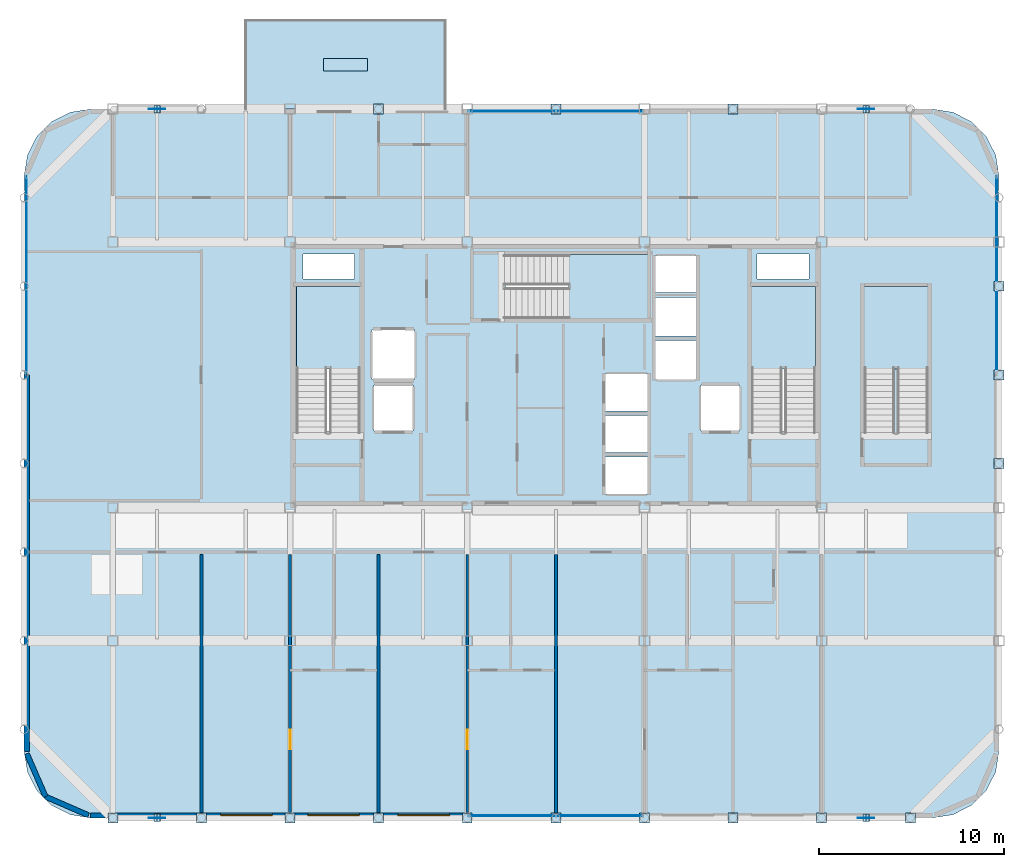
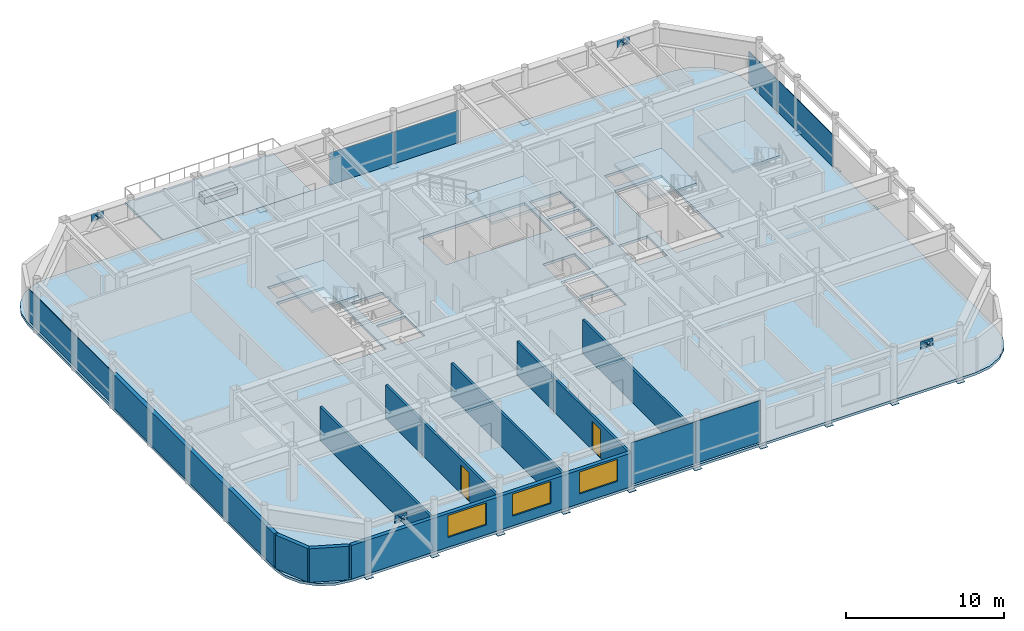
# One storey, part 16 of 23: 35 plates, 9 walls, 6 slabs, 3 windows, 2 doors, 5 openings, 8 elements without a shape of their own.
"""IFC4 building model written with IfcOpenShell, lengths in metres."""

from ifc_helpers import new_model, si_unit, direction, frame, frame_2d, origin, origin_2d, place, context, subcontext, project, spatial, polyline, rectangle, outline, extrude, material, layer, layer_set, type_object, element, fill, aggregate, save


model = new_model("IFC4")

# Units and contexts
model_context = context("Model", 3, precision=1e-05, world=origin(), true_north=direction((0.0, 1.0)))
body_context = subcontext(model_context, "Body", "Model", "MODEL_VIEW")
ifc_project = project(units=[si_unit("LENGTHUNIT", "METRE"), si_unit("AREAUNIT", "SQUARE_METRE"), si_unit("VOLUMEUNIT", "CUBIC_METRE"), si_unit("PLANEANGLEUNIT", "RADIAN"), si_unit("MASSUNIT", "GRAM", prefix="KILO")], contexts=[model_context])

# Site, building, storey
site_placement = place(None, origin())
site = spatial("IfcSite", under=ifc_project, at=site_placement, CompositionType="ELEMENT")
building_placement = place(site_placement, origin())
building = spatial("IfcBuilding", under=site, at=building_placement, Name="Kallvorn Hotel Tower", CompositionType="ELEMENT")
storey_placement = place(building_placement, frame((0.0, 0.0, 282.199951171875)))
storey = spatial("IfcBuildingStorey", under=building, at=storey_placement, Name="L70", CompositionType="ELEMENT", Elevation=282.199951171875)

# Curtain wall, plates
ifc_material_1 = material(Name="Thermally broken black-anodised aluminium AA 6063-T6", Category="aluminium")
ifc_layer_1 = layer(ifc_material_1, 0.25)
ifc_layer_set_1 = layer_set([ifc_layer_1], Name="CW_SYS_6_SUMMIT_OBS")
curtain_wall_type = type_object("IfcCurtainWallType", Name="CW_SYS_6_SUMMIT_OBS", PredefinedType="USERDEFINED", material=ifc_layer_set_1)
curtain_wall_1_placement = place(storey_placement, origin())
curtain_wall_1 = element("IfcCurtainWall", 1, at=curtain_wall_1_placement, inside=storey, type_object=curtain_wall_type, Name="L70 Dark-Glass Curtain Wall CW-L70-SC", ObjectType="UNITISED CURTAIN WALL", PredefinedType="USERDEFINED")
ifc_material_2 = material(Name="Triple-glazed low-e acoustic solar-control dark glass", Category="glass")
ifc_layer_2 = layer(ifc_material_2, 0.044921875)
ifc_layer_set_2 = layer_set([ifc_layer_2], Name="CW_SYS_6_SUMMIT_OBS_PANEL")
plate_type_1 = type_object("IfcPlateType", Name="CW_SYS_6_SUMMIT_OBS_PANEL", PredefinedType="CURTAIN_PANEL", material=ifc_layer_set_2)
plate_1_placement = place(storey_placement, frame((-2.375, -23.8798828125, 0.06005859375), z_axis=(0.0, 0.0, 1.0), x_axis=(1.0, 0.0, 0.0)))
plate_1 = element("IfcPlate", 2, at=plate_1_placement, type_object=plate_type_1, Name="CW-L70-SC Vision Glass Panel 00", PredefinedType="CURTAIN_PANEL", context=body_context, shape_type="SweptSolid", body=[
    extrude(rectangle(XDim=4.68994140625, YDim=0.044921875, at=origin_2d()), origin(), (0.0, 0.0, 1.0), 3.22998046875),
])
plate_2_placement = place(storey_placement, frame((2.375, -23.8798828125, 0.06005859375), z_axis=(0.0, 0.0, 1.0), x_axis=(1.0, 0.0, 0.0)))
plate_2 = element("IfcPlate", 3, at=plate_2_placement, type_object=plate_type_1, Name="CW-L70-SC Vision Glass Panel 01", PredefinedType="CURTAIN_PANEL", context=body_context, shape_type="SweptSolid", body=[
    extrude(rectangle(XDim=4.68994140625, YDim=0.044921875, at=origin_2d()), origin(), (0.0, 0.0, 1.0), 3.22998046875),
])
aggregate(curtain_wall_1, [plate_1, plate_2])

curtain_wall_2_placement = place(storey_placement, origin())
curtain_wall_2 = element("IfcCurtainWall", 4, at=curtain_wall_2_placement, inside=storey, type_object=curtain_wall_type, Name="L70 Dark-Glass Curtain Wall CW-L70-NC", ObjectType="UNITISED CURTAIN WALL", PredefinedType="USERDEFINED")
plate_3_placement = place(storey_placement, frame((-2.375, 14.280029296875, 0.06005859375), z_axis=(0.0, 0.0, 1.0), x_axis=(1.0, 0.0, 0.0)))
plate_3 = element("IfcPlate", 5, at=plate_3_placement, type_object=plate_type_1, Name="CW-L70-NC Vision Glass Panel 00", PredefinedType="CURTAIN_PANEL", context=body_context, shape_type="SweptSolid", body=[
    extrude(rectangle(XDim=4.68994140625, YDim=0.044921875, at=origin_2d()), origin(), (0.0, 0.0, 1.0), 2.47998046875),
])
plate_4_placement = place(storey_placement, frame((2.375, 14.280029296875, 0.06005859375), z_axis=(0.0, 0.0, 1.0), x_axis=(1.0, 0.0, 0.0)))
plate_4 = element("IfcPlate", 6, at=plate_4_placement, type_object=plate_type_1, Name="CW-L70-NC Vision Glass Panel 01", PredefinedType="CURTAIN_PANEL", context=body_context, shape_type="SweptSolid", body=[
    extrude(rectangle(XDim=4.68994140625, YDim=0.044921875, at=origin_2d()), origin(), (0.0, 0.0, 1.0), 2.47998046875),
])
aggregate(curtain_wall_2, [plate_3, plate_4])

# Curtain wall, plate
curtain_wall_3_placement = place(storey_placement, origin())
curtain_wall_3 = element("IfcCurtainWall", 7, at=curtain_wall_3_placement, inside=storey, type_object=curtain_wall_type, Name="L70 Dark-Glass Curtain Wall CW-L70-WN", ObjectType="UNITISED CURTAIN WALL", PredefinedType="USERDEFINED")
plate_5_placement = place(storey_placement, frame((-28.679931640625, 5.409912109375, 0.06005859375), z_axis=(0.0, 0.0, 1.0), x_axis=(0.0, 1.0, 0.0)))
plate_5 = element("IfcPlate", 8, at=plate_5_placement, type_object=plate_type_1, Name="CW-L70-WN Vision Glass Panel 00", PredefinedType="CURTAIN_PANEL", context=body_context, shape_type="SweptSolid", body=[
    extrude(rectangle(XDim=10.719970703125, YDim=0.044921875, at=origin_2d()), origin(), (0.0, 0.0, 1.0), 2.47998046875),
])
aggregate(curtain_wall_3, [plate_5])

curtain_wall_4_placement = place(storey_placement, origin())
curtain_wall_4 = element("IfcCurtainWall", 9, at=curtain_wall_4_placement, inside=storey, type_object=curtain_wall_type, Name="L70 Dark-Glass Curtain Wall CW-L70-EN", ObjectType="UNITISED CURTAIN WALL", PredefinedType="USERDEFINED")
plate_6_placement = place(storey_placement, frame((23.8798828125, 5.409912109375, 0.06005859375), z_axis=(0.0, 0.0, 1.0), x_axis=(0.0, 1.0, 0.0)))
plate_6 = element("IfcPlate", 10, at=plate_6_placement, type_object=plate_type_1, Name="CW-L70-EN Vision Glass Panel 00", PredefinedType="CURTAIN_PANEL", context=body_context, shape_type="SweptSolid", body=[
    extrude(rectangle(XDim=10.719970703125, YDim=0.044921875, at=origin_2d()), origin(), (0.0, 0.0, 1.0), 2.47998046875),
])
aggregate(curtain_wall_4, [plate_6])

# Plates
ifc_material_3 = material(Name="Structural steel S355JR", Category="steel")
ifc_layer_3 = layer(ifc_material_3, 0.030029296875)
ifc_layer_set_3 = layer_set([ifc_layer_3], Name="PLT_CAP_30")
plate_type_2 = type_object("IfcPlateType", Name="PLT_CAP_30", PredefinedType="SHEET", material=ifc_layer_set_3)
for number, where, z_axis, x_axis, name in (
    (11, (-24.0, -24.0, -0.22998046875), (0.0, 0.0, 1.0), (1.0, 0.0, 0.0), "L70 Hollow Column Base End Cap Plate 0360"),
    (12, (-19.199951171875, -24.0, -0.22998046875), (0.0, 0.0, 1.0), (1.0, 0.0, 0.0), "L70 Hollow Column Base End Cap Plate 0361"),
    (13, (-14.39990234375, -24.0, -0.22998046875), (0.0, 0.0, 1.0), (1.0, 0.0, 0.0), "L70 Hollow Column Base End Cap Plate 0362"),
    (14, (-9.60009765625, -24.0, -0.22998046875), (0.0, 0.0, 1.0), (1.0, 0.0, 0.0), "L70 Hollow Column Base End Cap Plate 0363"),
    (15, (-9.60009765625, 14.39990234375, -0.22998046875), (0.0, 0.0, 1.0), (1.0, 0.0, 0.0), "L70 Hollow Column Base End Cap Plate 0364"),
    (16, (-4.800048828125, -24.0, -0.22998046875), (0.0, 0.0, 1.0), (1.0, 0.0, 0.0), "L70 Hollow Column Base End Cap Plate 0365"),
    (17, (0.0, -24.0, -0.22998046875), (0.0, 0.0, 1.0), (1.0, 0.0, 0.0), "L70 Hollow Column Base End Cap Plate 0366"),
    (18, (0.0, 14.39990234375, -0.22998046875), (0.0, 0.0, 1.0), (1.0, 0.0, 0.0), "L70 Hollow Column Base End Cap Plate 0367"),
    (19, (4.800048828125, -24.0, -0.22998046875), (0.0, 0.0, 1.0), (1.0, 0.0, 0.0), "L70 Hollow Column Base End Cap Plate 0368"),
    (20, (9.60009765625, -24.0, -0.22998046875), (0.0, 0.0, 1.0), (1.0, 0.0, 0.0), "L70 Hollow Column Base End Cap Plate 0369"),
    (21, (9.60009765625, 14.39990234375, -0.22998046875), (0.0, 0.0, 1.0), (1.0, 0.0, 0.0), "L70 Hollow Column Base End Cap Plate 0370"),
    (22, (14.39990234375, -24.0, -0.22998046875), (0.0, 0.0, 1.0), (1.0, 0.0, 0.0), "L70 Hollow Column Base End Cap Plate 0371"),
    (23, (19.199951171875, -24.0, -0.22998046875), (0.0, 0.0, 1.0), (1.0, 0.0, 0.0), "L70 Hollow Column Base End Cap Plate 0372"),
    (24, (24.0, -4.800048828125, -0.22998046875), (0.0, 0.0, 1.0), (1.0, 0.0, 0.0), "L70 Hollow Column Base End Cap Plate 0373"),
    (25, (24.0, 0.0, -0.22998046875), (0.0, 0.0, 1.0), (1.0, 0.0, 0.0), "L70 Hollow Column Base End Cap Plate 0374"),
    (26, (24.0, 4.800048828125, -0.22998046875), (0.0, 0.0, 1.0), (1.0, 0.0, 0.0), "L70 Hollow Column Base End Cap Plate 0375"),
):
    element("IfcPlate", number, at=place(storey_placement, frame(where, z_axis=z_axis, x_axis=x_axis)), inside=storey, type_object=plate_type_2, Name=name, PredefinedType="SHEET", context=body_context, shape_type="SweptSolid", body=[
        extrude(rectangle(XDim=0.537109375, YDim=0.537109375, at=origin_2d()), origin(), (0.0, 0.0, 1.0), 0.030029296875),
    ])
for number, where, z_axis, x_axis, name in (
    (27, (-21.4296875, -24.201904296875, 3.4306640625), (0.581181044068, 0.0, 0.813774289355), (0.0, 1.0, 0.0), "EXO-L70-S1A End Cap Plate B"),
    (28, (-21.770263671875, -23.798095703125, 3.4306640625), (-0.581181044068, 0.0, 0.813774289355), (0.0, -1.0, 0.0), "EXO-L70-S1B End Cap Plate B"),
):
    element("IfcPlate", number, at=place(storey_placement, frame(where, z_axis=z_axis, x_axis=x_axis)), inside=storey, type_object=plate_type_2, Name=name, PredefinedType="SHEET", context=body_context, shape_type="SweptSolid", body=[
        extrude(outline(polyline([(0.0, 0.0), (0.40380859375, 0.0), (0.40380859375, 0.4041138017957173), (0.0, 0.4041138017957173), (0.0, 0.0)])), origin(), (0.0, 0.0, -1.0), 0.030029296875),
    ])
for number, where, z_axis, x_axis, name in (
    (29, (16.97021484375, -24.201904296875, 3.4306640625), (0.581466876057, 0.0, 0.813570078142), (0.0, 1.0, 0.0), "EXO-L70-S2A End Cap Plate B"),
    (30, (16.6298828125, -23.798095703125, 3.4306640625), (-0.581466876057, 0.0, 0.813570078142), (0.0, -1.0, 0.0), "EXO-L70-S2B End Cap Plate B"),
):
    element("IfcPlate", number, at=place(storey_placement, frame(where, z_axis=z_axis, x_axis=x_axis)), inside=storey, type_object=plate_type_2, Name=name, PredefinedType="SHEET", context=body_context, shape_type="SweptSolid", body=[
        extrude(outline(polyline([(0.0, 0.0), (0.40380859375, 0.0), (0.40380859375, 0.40391515135410333), (0.0, 0.40391515135410333), (0.0, 0.0)])), origin(), (0.0, 0.0, -1.0), 0.030029296875),
    ])
for number, where, z_axis, x_axis, name in (
    (31, (-21.4296875, 14.197998046875, 3.4306640625), (0.581181044068, 0.0, 0.813774289355), (0.0, 1.0, 0.0), "EXO-L70-N1A End Cap Plate B"),
    (32, (-21.770263671875, 14.60205078125, 3.4306640625), (-0.581181044068, 0.0, 0.813774289355), (0.0, -1.0, 0.0), "EXO-L70-N1B End Cap Plate B"),
):
    element("IfcPlate", number, at=place(storey_placement, frame(where, z_axis=z_axis, x_axis=x_axis)), inside=storey, type_object=plate_type_2, Name=name, PredefinedType="SHEET", context=body_context, shape_type="SweptSolid", body=[
        extrude(outline(polyline([(0.0, 0.0), (0.404052734375, 0.0), (0.404052734375, 0.4041138017957173), (0.0, 0.4041138017957173), (0.0, 0.0)])), origin(), (0.0, 0.0, -1.0), 0.030029296875),
    ])
for number, where, z_axis, x_axis, name in (
    (33, (16.97021484375, 14.197998046875, 3.4306640625), (0.581466876057, 0.0, 0.813570078142), (0.0, 1.0, 0.0), "EXO-L70-N2A End Cap Plate B"),
    (34, (16.6298828125, 14.60205078125, 3.4306640625), (-0.581466876057, 0.0, 0.813570078142), (0.0, -1.0, 0.0), "EXO-L70-N2B End Cap Plate B"),
):
    element("IfcPlate", number, at=place(storey_placement, frame(where, z_axis=z_axis, x_axis=x_axis)), inside=storey, type_object=plate_type_2, Name=name, PredefinedType="SHEET", context=body_context, shape_type="SweptSolid", body=[
        extrude(outline(polyline([(0.0, 0.0), (0.404052734375, 0.0), (0.404052734375, 0.40391515135410333), (0.0, 0.40391515135410333), (0.0, 0.0)])), origin(), (0.0, 0.0, -1.0), 0.030029296875),
    ])
ifc_material_4 = material(Name="Structural steel S355JR", Category="steel")
ifc_layer_4 = layer(ifc_material_4, 0.034912109375)
ifc_layer_set_4 = layer_set([ifc_layer_4], Name="PLT_GUSSET_35")
plate_type_3 = type_object("IfcPlateType", Name="PLT_GUSSET_35", PredefinedType="USERDEFINED", material=ifc_layer_set_4)
for number, where, z_axis, x_axis, name in (
    (35, (-21.60009765625, -24.0, 3.219970703125), (0.0, 0.0, 1.0), (1.0, 0.0, 0.0), "L70 Exoskeleton Node Gusset S1"),
    (36, (16.800048828125, -24.0, 3.219970703125), (0.0, 0.0, 1.0), (1.0, 0.0, 0.0), "L70 Exoskeleton Node Gusset S2"),
    (37, (-21.60009765625, 14.39990234375, 3.219970703125), (0.0, 0.0, 1.0), (1.0, 0.0, 0.0), "L70 Exoskeleton Node Gusset N1"),
    (38, (16.800048828125, 14.39990234375, 3.219970703125), (0.0, 0.0, 1.0), (1.0, 0.0, 0.0), "L70 Exoskeleton Node Gusset N2"),
):
    element("IfcPlate", number, at=place(storey_placement, frame(where, z_axis=z_axis, x_axis=x_axis)), inside=storey, type_object=plate_type_3, Name=name, ObjectType="GUSSET PLATE", PredefinedType="USERDEFINED", context=body_context, shape_type="SweptSolid", body=[
        extrude(rectangle(XDim=0.89990234375, YDim=0.034912109375, at=origin_2d()), origin(), (0.0, 0.0, 1.0), 0.56005859375),
    ])
ifc_material_5 = material(Name="Powder-coated marine-grade aluminium planter trough", Category="aluminium")
ifc_layer_5 = layer(ifc_material_5, 0.0400390625)
ifc_layer_set_5 = layer_set([ifc_layer_5], Name="PLT_PLANTER_TROUGH")
plate_type_4 = type_object("IfcPlateType", Name="PLT_PLANTER_TROUGH", PredefinedType="USERDEFINED", material=ifc_layer_set_5)
plate_7_placement = place(storey_placement, frame((-11.39990234375, 16.800048828125, 0.0), z_axis=(0.0, 0.0, 1.0), x_axis=(1.0, 0.0, 0.0)))
element("IfcPlate", 39, at=plate_7_placement, inside=storey, type_object=plate_type_4, Name="TER-L70-N Step-Off Terrace Planter", ObjectType="FACADE PLANTER TROUGH", PredefinedType="USERDEFINED", context=body_context, shape_type="SweptSolid", body=[
    extrude(rectangle(XDim=2.39990234375, YDim=0.699951171875, at=origin_2d()), origin(), (0.0, 0.0, 1.0), 0.5),
])

# Stair, slab
ifc_material_6 = material(Name="Precast concrete C40/50", Category="concrete")
stair_type = type_object("IfcStairType", Name="STR_CORE_DOGLEG", PredefinedType="HALF_TURN_STAIR", material=ifc_material_6)
stair_1_placement = place(storey_placement, origin())
stair_1 = element("IfcStair", 40, at=stair_1_placement, inside=storey, type_object=stair_type, Name="L70 Exit stair ST1", PredefinedType="HALF_TURN_STAIR")
ifc_material_7 = material(Name="Precast concrete C40/50", Category="concrete")
ifc_layer_6 = layer(ifc_material_7, 0.179931640625)
ifc_layer_set_6 = layer_set([ifc_layer_6], Name="SLB_LANDING_180")
slab_type_1 = type_object("IfcSlabType", Name="SLB_LANDING_180", PredefinedType="LANDING", material=ifc_layer_set_6)
slab_1_placement = place(storey_placement, frame((0.0, 0.0, 1.900146484375)))
slab_1 = element("IfcSlab", 41, at=slab_1_placement, type_object=slab_type_1, Name="ST1 landing 1", PredefinedType="LANDING", context=body_context, shape_type="SweptSolid", body=[
    extrude(outline(polyline([(-10.60009765625, 0.330078125), (-10.60009765625, 4.800048828125), (-14.06005859375, 4.800048828125), (-14.06005859375, 0.330078125), (-10.60009765625, 0.330078125)])), origin(), (0.0, 0.0, 1.0), 0.199951171875),
])
aggregate(stair_1, [slab_1])

stair_2_placement = place(storey_placement, origin())
stair_2 = element("IfcStair", 42, at=stair_2_placement, inside=storey, type_object=stair_type, Name="L70 Exit stair ST2", PredefinedType="HALF_TURN_STAIR")
slab_2_placement = place(storey_placement, frame((0.0, 0.0, 1.900146484375)))
slab_2 = element("IfcSlab", 43, at=slab_2_placement, type_object=slab_type_1, Name="ST2 landing 1", PredefinedType="LANDING", context=body_context, shape_type="SweptSolid", body=[
    extrude(outline(polyline([(14.06005859375, 0.330078125), (14.06005859375, 4.800048828125), (10.60009765625, 4.800048828125), (10.60009765625, 0.330078125), (14.06005859375, 0.330078125)])), origin(), (0.0, 0.0, 1.0), 0.199951171875),
])
aggregate(stair_2, [slab_2])

stair_3_placement = place(storey_placement, origin())
stair_3 = element("IfcStair", 44, at=stair_3_placement, inside=storey, type_object=stair_type, Name="L70 Exit stair ST3", PredefinedType="HALF_TURN_STAIR")
slab_3_placement = place(storey_placement, frame((0.0, 0.0, 1.900146484375)))
slab_3 = element("IfcSlab", 45, at=slab_3_placement, type_object=slab_type_1, Name="ST3 landing 1", PredefinedType="LANDING", context=body_context, shape_type="SweptSolid", body=[
    extrude(outline(polyline([(0.679931640625, 3.050048828125), (5.050048828125, 3.050048828125), (5.050048828125, 6.510009765625), (0.679931640625, 6.510009765625), (0.679931640625, 3.050048828125)])), origin(), (0.0, 0.0, 1.0), 0.199951171875),
])
aggregate(stair_3, [slab_3])

stair_4_placement = place(storey_placement, origin())
stair_4 = element("IfcStair", 46, at=stair_4_placement, inside=storey, type_object=stair_type, Name="L70 Exit stair ST4", PredefinedType="HALF_TURN_STAIR")
slab_4_placement = place(storey_placement, frame((0.0, 0.0, 1.900146484375)))
slab_4 = element("IfcSlab", 47, at=slab_4_placement, type_object=slab_type_1, Name="ST4 landing 1", PredefinedType="LANDING", context=body_context, shape_type="SweptSolid", body=[
    extrude(outline(polyline([(20.159912109375, 0.330078125), (20.159912109375, 4.800048828125), (16.699951171875, 4.800048828125), (16.699951171875, 0.330078125), (20.159912109375, 0.330078125)])), origin(), (0.0, 0.0, 1.0), 0.199951171875),
])
aggregate(stair_4, [slab_4])

# Slabs
ifc_material_8 = material(Name="Concrete C40/50", Category="concrete")
ifc_layer_7 = layer(ifc_material_8, 0.199951171875)
ifc_layer_set_7 = layer_set([ifc_layer_7], Name="SLB_SUMMIT_200")
slab_type_2 = type_object("IfcSlabType", Name="SLB_SUMMIT_200", PredefinedType="FLOOR", material=ifc_layer_set_7)
slab_5_placement = place(storey_placement, frame((0.0, 0.0, -0.199951171875)))
element("IfcSlab", 48, at=slab_5_placement, inside=storey, type_object=slab_type_2, Name="L70 Structural Floor Slab", PredefinedType="FLOOR", context=body_context, shape_type="SweptSolid", body=[
    extrude(outline(polyline([(20.39990234375, -24.0), (21.512451171875, -23.82373046875), (22.51611328125, -23.3125), (23.3125, -22.51611328125), (23.82373046875, -21.512451171875), (24.0, -20.39990234375), (24.0, 10.800048828125), (23.82373046875, 11.91259765625), (23.3125, 12.916015625), (22.51611328125, 13.71240234375), (21.512451171875, 14.223876953125), (20.39990234375, 14.39990234375), (-25.199951171875, 14.39990234375), (-26.3125, 14.223876953125), (-27.31591796875, 13.71240234375), (-28.112548828125, 12.916015625), (-28.623779296875, 11.91259765625), (-28.800048828125, 10.800048828125), (-28.800048828125, -20.39990234375), (-28.623779296875, -21.512451171875), (-28.112548828125, -22.51611328125), (-27.31591796875, -23.3125), (-26.3125, -23.82373046875), (-25.199951171875, -24.0), (20.39990234375, -24.0)]), holes=[polyline([(-10.60009765625, -3.070068359375), (-10.60009765625, 4.800048828125), (-14.06005859375, 4.800048828125), (-14.06005859375, -3.070068359375), (-10.60009765625, -3.070068359375)]), polyline([(14.06005859375, -3.070068359375), (14.06005859375, 4.800048828125), (10.60009765625, 4.800048828125), (10.60009765625, -3.070068359375), (14.06005859375, -3.070068359375)]), polyline([(-2.719970703125, 3.050048828125), (5.050048828125, 3.050048828125), (5.050048828125, 6.510009765625), (-2.719970703125, 6.510009765625), (-2.719970703125, 3.050048828125)]), polyline([(2.64990234375, -6.449951171875), (5.0, -6.449951171875), (5.0, -4.449951171875), (2.64990234375, -4.449951171875), (2.64990234375, -6.449951171875)]), polyline([(2.64990234375, -4.199951171875), (5.0, -4.199951171875), (5.0, -2.199951171875), (2.64990234375, -2.199951171875), (2.64990234375, -4.199951171875)]), polyline([(2.64990234375, -1.949951171875), (5.0, -1.949951171875), (5.0, 0.050048828125), (2.64990234375, 0.050048828125), (2.64990234375, -1.949951171875)]), polyline([(5.35009765625, -0.25), (7.64990234375, -0.25), (7.64990234375, 1.85009765625), (5.35009765625, 1.85009765625), (5.35009765625, -0.25)]), polyline([(5.35009765625, 2.10009765625), (7.64990234375, 2.10009765625), (7.64990234375, 4.199951171875), (5.35009765625, 4.199951171875), (5.35009765625, 2.10009765625)]), polyline([(5.35009765625, 4.449951171875), (7.64990234375, 4.449951171875), (7.64990234375, 6.449951171875), (5.35009765625, 6.449951171875), (5.35009765625, 4.449951171875)]), polyline([(-9.85009765625, -3.050048828125), (-7.75, -3.050048828125), (-7.75, -0.550048828125), (-9.85009765625, -0.550048828125), (-9.85009765625, -3.050048828125)]), polyline([(7.85009765625, -3.050048828125), (9.949951171875, -3.050048828125), (9.949951171875, -0.550048828125), (7.85009765625, -0.550048828125), (7.85009765625, -3.050048828125)]), polyline([(-9.949951171875, -0.25), (-7.64990234375, -0.25), (-7.64990234375, 2.449951171875), (-9.949951171875, 2.449951171875), (-9.949951171875, -0.25)]), polyline([(-13.699951171875, 5.199951171875), (-10.89990234375, 5.199951171875), (-10.89990234375, 6.550048828125), (-13.699951171875, 6.550048828125), (-13.699951171875, 5.199951171875)]), polyline([(10.89990234375, 5.199951171875), (13.699951171875, 5.199951171875), (13.699951171875, 6.550048828125), (10.89990234375, 6.550048828125), (10.89990234375, 5.199951171875)])]), origin(), (0.0, 0.0, 1.0), 0.199951171875),
])
ifc_material_9 = material(Name="Concrete C40/50", Category="concrete")
ifc_layer_8 = layer(ifc_material_9, 0.179931640625)
ifc_layer_set_8 = layer_set([ifc_layer_8], Name="SLB_TERRACE_180")
slab_type_3 = type_object("IfcSlabType", Name="SLB_TERRACE_180", PredefinedType="ROOF", material=ifc_layer_set_8)
slab_6_placement = place(storey_placement, frame((0.0, 0.0, -0.179931640625)))
element("IfcSlab", 49, at=slab_6_placement, inside=storey, type_object=slab_type_3, Name="L70 Jenga Step-Off Garden Terrace TER-L70-N", PredefinedType="ROOF", context=body_context, shape_type="SweptSolid", body=[
    extrude(outline(polyline([(-16.800048828125, 14.39990234375), (-6.0, 14.39990234375), (-6.0, 19.199951171875), (-16.800048828125, 19.199951171875), (-16.800048828125, 14.39990234375)])), origin(), (0.0, 0.0, 1.0), 0.179931640625),
])

# Wall
ifc_material_10 = material(Name="Fire-rated double-layer acoustic gypsum drywall EI 60")
ifc_layer_9 = layer(ifc_material_10, 0.159912109375)
ifc_layer_set_9 = layer_set([ifc_layer_9], Name="WL_DEMISE_160")
wall_type_1 = type_object("IfcWallType", Name="WL_DEMISE_160", PredefinedType="PARTITIONING", material=ifc_layer_set_9)
wall_1_placement = place(storey_placement, frame((-19.199951171875, -23.7099609375, 0.0), z_axis=(0.0, 0.0, 1.0), x_axis=(0.0, 1.0, 0.0)))
element("IfcWall", 50, at=wall_1_placement, inside=storey, type_object=wall_type_1, Name="L70 Suite 7001 Presidential Living Salon Partition", PredefinedType="PARTITIONING", context=body_context, shape_type="SweptSolid", body=[
    extrude(rectangle(XDim=13.989990234375, YDim=0.159912109375, at=frame_2d((6.9951171875, 0.0))), origin(), (0.0, 0.0, 1.0), 2.60009765625),
])

# Wall, opening, door
wall_2_placement = place(storey_placement, frame((-14.39990234375, -23.7099609375, 0.0), z_axis=(0.0, 0.0, 1.0), x_axis=(0.0, 1.0, 0.0)))
wall_2 = element("IfcWall", 51, at=wall_2_placement, inside=storey, type_object=wall_type_1, Name="L70 Suite 7001 Presidential Bedroom Partition", PredefinedType="PARTITIONING", context=body_context, shape_type="SweptSolid", body=[
    extrude(rectangle(XDim=13.989990234375, YDim=0.159912109375, at=frame_2d((6.9951171875, 0.0))), origin(), (0.0, 0.0, 1.0), 2.60009765625),
])
opening_1_placement = place(wall_2_placement, frame((3.43505859375, 0.0, 0.0)))
opening_1 = element("IfcOpeningElement", 52, at=opening_1_placement, cuts=wall_2, Name="Opening GD2", PredefinedType="OPENING", context=body_context, shape_type="SweptSolid", body=[
    extrude(rectangle(XDim=1.050048828125, YDim=2.199951171875, at=frame_2d((0.52490234375, 1.10009765625))), frame((0.0, 0.094970703125, 0.0), z_axis=(0.0, -1.0, 0.0), x_axis=(1.0, 0.0, 0.0)), (0.0, 0.0, 1.0), 0.18994140625),
])
ifc_material_11 = material(Name="Solid-core walnut veneer fire-rated timber door leaf", Category="wood")
door_type = type_object("IfcDoorType", Name="DR_SUITE_1050x2200", OperationType="NOTDEFINED", PredefinedType="DOOR", material=ifc_material_11)
door_1_placement = place(opening_1_placement, origin())
door_1 = element("IfcDoor", 53, at=door_1_placement, inside=storey, type_object=door_type, Name="L70 Suite 7001 Presidential Bedroom Door", OperationType="SINGLE_SWING_RIGHT", OverallHeight=2.199951171875, OverallWidth=1.050048828125, PredefinedType="DOOR", context=body_context, shape_type="SweptSolid", body=[
    extrude(rectangle(XDim=1.050048828125, YDim=2.199951171875, at=frame_2d((0.52490234375, 1.10009765625))), frame((0.0, 0.02490234375, 0.0), z_axis=(0.0, -1.0, 0.0), x_axis=(1.0, 0.0, 0.0)), (0.0, 0.0, 1.0), 0.050048828125),
])
fill(opening_1, door_1)

# Wall
wall_3_placement = place(storey_placement, frame((-9.60009765625, -23.7099609375, 0.0), z_axis=(0.0, 0.0, 1.0), x_axis=(0.0, 1.0, 0.0)))
element("IfcWall", 54, at=wall_3_placement, inside=storey, type_object=wall_type_1, Name="L70 Suite 7001 Presidential Bedroom Partition", PredefinedType="PARTITIONING", context=body_context, shape_type="SweptSolid", body=[
    extrude(rectangle(XDim=13.989990234375, YDim=0.159912109375, at=frame_2d((6.9951171875, 0.0))), origin(), (0.0, 0.0, 1.0), 2.60009765625),
])

# Wall, opening, door
wall_4_placement = place(storey_placement, frame((-4.800048828125, -23.7099609375, 0.0), z_axis=(0.0, 0.0, 1.0), x_axis=(0.0, 1.0, 0.0)))
wall_4 = element("IfcWall", 55, at=wall_4_placement, inside=storey, type_object=wall_type_1, Name="L70 Suite 7002 Presidential Bedroom Partition", PredefinedType="PARTITIONING", context=body_context, shape_type="SweptSolid", body=[
    extrude(rectangle(XDim=13.989990234375, YDim=0.159912109375, at=frame_2d((6.9951171875, 0.0))), origin(), (0.0, 0.0, 1.0), 2.60009765625),
])
opening_2_placement = place(wall_4_placement, frame((3.43505859375, 0.0, 0.0)))
opening_2 = element("IfcOpeningElement", 56, at=opening_2_placement, cuts=wall_4, Name="Opening GD2", PredefinedType="OPENING", context=body_context, shape_type="SweptSolid", body=[
    extrude(rectangle(XDim=1.050048828125, YDim=2.199951171875, at=frame_2d((0.52490234375, 1.10009765625))), frame((0.0, 0.094970703125, 0.0), z_axis=(0.0, -1.0, 0.0), x_axis=(1.0, 0.0, 0.0)), (0.0, 0.0, 1.0), 0.18994140625),
])
door_2_placement = place(opening_2_placement, origin())
door_2 = element("IfcDoor", 57, at=door_2_placement, inside=storey, type_object=door_type, Name="L70 Suite 7002 Presidential Bedroom Door", OperationType="SINGLE_SWING_RIGHT", OverallHeight=2.199951171875, OverallWidth=1.050048828125, PredefinedType="DOOR", context=body_context, shape_type="SweptSolid", body=[
    extrude(rectangle(XDim=1.050048828125, YDim=2.199951171875, at=frame_2d((0.52490234375, 1.10009765625))), frame((0.0, 0.02490234375, 0.0), z_axis=(0.0, -1.0, 0.0), x_axis=(1.0, 0.0, 0.0)), (0.0, 0.0, 1.0), 0.050048828125),
])
fill(opening_2, door_2)

# Walls
wall_5_placement = place(storey_placement, frame((0.0, -23.794921875, 0.0), z_axis=(0.0, 0.0, 1.0), x_axis=(0.0, 1.0, 0.0)))
element("IfcWall", 58, at=wall_5_placement, inside=storey, type_object=wall_type_1, Name="L70 Suite 7002 Presidential Bedroom Partition", PredefinedType="PARTITIONING", context=body_context, shape_type="SweptSolid", body=[
    extrude(rectangle(XDim=14.074951171875, YDim=0.159912109375, at=frame_2d((7.03759765625, 0.0))), origin(), (0.0, 0.0, 1.0), 2.60009765625),
])
ifc_material_12 = material(Name="Precast basalt-clad insulated concrete wall C40/50", Category="masonry")
ifc_layer_10 = layer(ifc_material_12, 0.280029296875)
ifc_layer_set_10 = layer_set([ifc_layer_10], Name="WL_EXT_LOGGIA_280")
wall_type_2 = type_object("IfcWallType", Name="WL_EXT_LOGGIA_280", PredefinedType="SOLIDWALL", material=ifc_layer_set_10)
wall_6_placement = place(storey_placement, frame((-28.657958984375, -20.520751953125, 0.0), z_axis=(0.0, 0.0, 1.0), x_axis=(0.398792985289, -0.917040977756, 0.0)))
element("IfcWall", 59, at=wall_6_placement, inside=storey, type_object=wall_type_2, Name="L70 Rounded Corner Exterior Wall SW1", PredefinedType="SOLIDWALL", context=body_context, shape_type="SweptSolid", body=[
    extrude(rectangle(XDim=2.536376953125, YDim=0.280029296875, at=frame_2d((1.26806640625, 0.0))), origin(), (0.0, 0.0, 1.0), 2.60009765625),
])
wall_7_placement = place(storey_placement, frame((-27.646484375, -22.8466796875, 0.0), z_axis=(0.0, 0.0, 1.0), x_axis=(0.917060872934, -0.398747232384, 0.0)))
element("IfcWall", 60, at=wall_7_placement, inside=storey, type_object=wall_type_2, Name="L70 Rounded Corner Exterior Wall SW2", PredefinedType="SOLIDWALL", context=body_context, shape_type="SweptSolid", body=[
    extrude(rectangle(XDim=2.5361328125, YDim=0.280029296875, at=frame_2d((1.26806640625, 0.0))), origin(), (0.0, 0.0, 1.0), 2.60009765625),
])

# Wall, openings, windows
wall_8_placement = place(storey_placement, frame((-25.199951171875, -23.860107421875, 0.0), z_axis=(0.0, 0.0, 1.0), x_axis=(1.0, 0.0, 0.0)))
wall_8 = element("IfcWall", 61, at=wall_8_placement, inside=storey, type_object=wall_type_2, Name="L70 Exterior Envelope Wall EW-L70-SW", PredefinedType="SOLIDWALL", context=body_context, shape_type="SweptSolid", body=[
    extrude(rectangle(XDim=20.449951171875, YDim=0.280029296875, at=frame_2d((10.22509765625, 0.0))), origin(), (0.0, 0.0, 1.0), 2.60009765625),
])
opening_3_placement = place(wall_8_placement, frame((7.0400390625, 0.0, 0.75)))
opening_3 = element("IfcOpeningElement", 62, at=opening_3_placement, cuts=wall_8, Name="Opening W08A", PredefinedType="OPENING", context=body_context, shape_type="SweptSolid", body=[
    extrude(rectangle(XDim=2.800048828125, YDim=1.699951171875, at=frame_2d((1.39990234375, 0.85009765625))), frame((0.0, 0.155029296875, 0.0), z_axis=(0.0, -1.0, 0.0), x_axis=(1.0, 0.0, 0.0)), (0.0, 0.0, 1.0), 0.31005859375),
])
opening_4_placement = place(wall_8_placement, frame((11.760009765625, 0.0, 0.75)))
opening_4 = element("IfcOpeningElement", 63, at=opening_4_placement, cuts=wall_8, Name="Opening W08A", PredefinedType="OPENING", context=body_context, shape_type="SweptSolid", body=[
    extrude(rectangle(XDim=2.800048828125, YDim=1.699951171875, at=frame_2d((1.39990234375, 0.85009765625))), frame((0.0, 0.155029296875, 0.0), z_axis=(0.0, -1.0, 0.0), x_axis=(1.0, 0.0, 0.0)), (0.0, 0.0, 1.0), 0.31005859375),
])
opening_5_placement = place(wall_8_placement, frame((16.639892578125, 0.0, 0.75)))
opening_5 = element("IfcOpeningElement", 64, at=opening_5_placement, cuts=wall_8, Name="Opening W08A", PredefinedType="OPENING", context=body_context, shape_type="SweptSolid", body=[
    extrude(rectangle(XDim=2.800048828125, YDim=1.699951171875, at=frame_2d((1.39990234375, 0.85009765625))), frame((0.0, 0.155029296875, 0.0), z_axis=(0.0, -1.0, 0.0), x_axis=(1.0, 0.0, 0.0)), (0.0, 0.0, 1.0), 0.31005859375),
])
ifc_material_13 = material(Name="Triple-glazed low-e acoustic solar-control dark glass", Category="glass")
window_type = type_object("IfcWindowType", Name="WN_SUM_2800x1700", PartitioningType="SINGLE_PANEL", PredefinedType="WINDOW", material=ifc_material_13)
window_1_placement = place(opening_3_placement, origin())
window_1 = element("IfcWindow", 65, at=window_1_placement, inside=storey, type_object=window_type, Name="L70 Guestroom Exterior Window 01", OverallHeight=1.699951171875, OverallWidth=2.800048828125, PartitioningType="SINGLE_PANEL", PredefinedType="WINDOW", context=body_context, shape_type="SweptSolid", body=[
    extrude(rectangle(XDim=2.800048828125, YDim=1.699951171875, at=frame_2d((1.39990234375, 0.85009765625))), frame((0.0, 0.030029296875, 0.0), z_axis=(0.0, -1.0, 0.0), x_axis=(1.0, 0.0, 0.0)), (0.0, 0.0, 1.0), 0.06005859375),
])
fill(opening_3, window_1)
window_2_placement = place(opening_4_placement, origin())
window_2 = element("IfcWindow", 66, at=window_2_placement, inside=storey, type_object=window_type, Name="L70 Guestroom Exterior Window 02", OverallHeight=1.699951171875, OverallWidth=2.800048828125, PartitioningType="SINGLE_PANEL", PredefinedType="WINDOW", context=body_context, shape_type="SweptSolid", body=[
    extrude(rectangle(XDim=2.800048828125, YDim=1.699951171875, at=frame_2d((1.39990234375, 0.85009765625))), frame((0.0, 0.030029296875, 0.0), z_axis=(0.0, -1.0, 0.0), x_axis=(1.0, 0.0, 0.0)), (0.0, 0.0, 1.0), 0.06005859375),
])
fill(opening_4, window_2)
window_3_placement = place(opening_5_placement, origin())
window_3 = element("IfcWindow", 67, at=window_3_placement, inside=storey, type_object=window_type, Name="L70 Guestroom Exterior Window 03", OverallHeight=1.699951171875, OverallWidth=2.800048828125, PartitioningType="SINGLE_PANEL", PredefinedType="WINDOW", context=body_context, shape_type="SweptSolid", body=[
    extrude(rectangle(XDim=2.800048828125, YDim=1.699951171875, at=frame_2d((1.39990234375, 0.85009765625))), frame((0.0, 0.030029296875, 0.0), z_axis=(0.0, -1.0, 0.0), x_axis=(1.0, 0.0, 0.0)), (0.0, 0.0, 1.0), 0.06005859375),
])
fill(opening_5, window_3)

# Wall
wall_9_placement = place(storey_placement, frame((-28.659912109375, -20.39990234375, 0.0), z_axis=(0.0, 0.0, 1.0), x_axis=(0.0, 1.0, 0.0)))
element("IfcWall", 68, at=wall_9_placement, inside=storey, type_object=wall_type_2, Name="L70 Exterior Envelope Wall EW-L70-WS", PredefinedType="SOLIDWALL", context=body_context, shape_type="SweptSolid", body=[
    extrude(rectangle(XDim=20.3798828125, YDim=0.280029296875, at=frame_2d((10.18994140625, 0.0))), origin(), (0.0, 0.0, 1.0), 2.60009765625),
])

save(model, "model.ifc")
